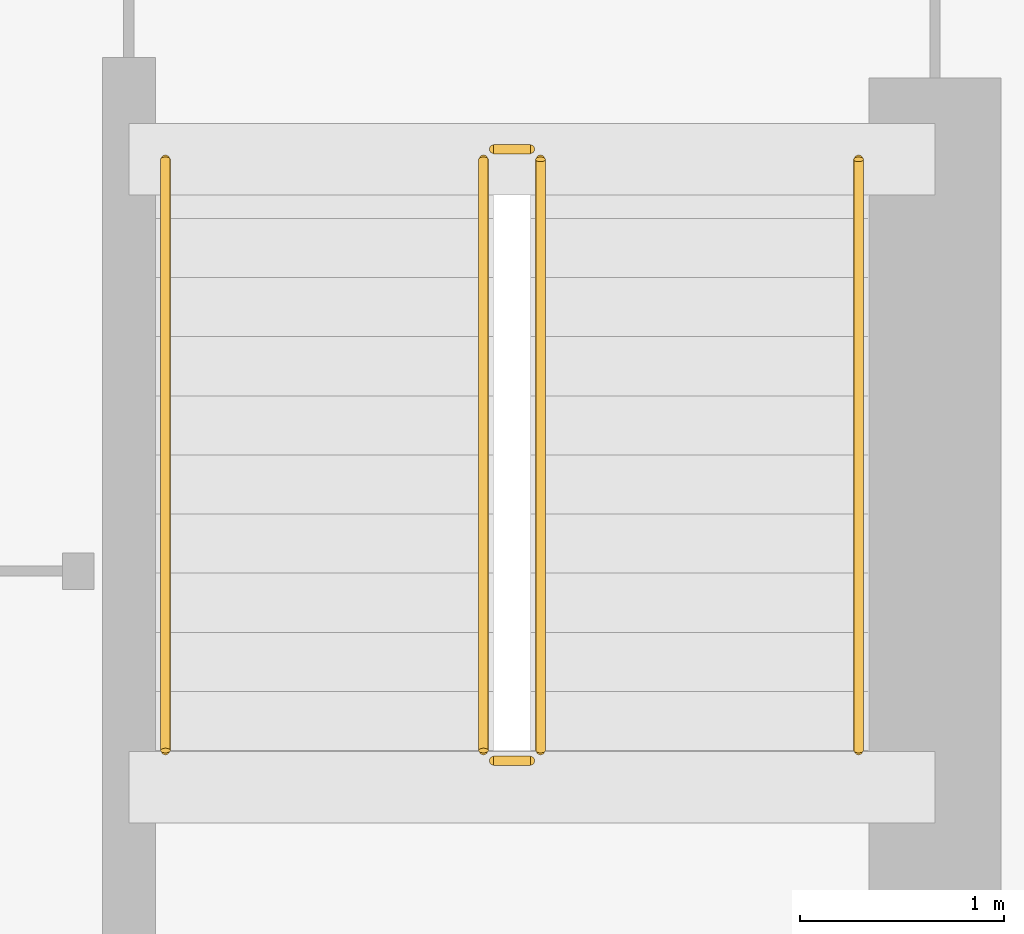
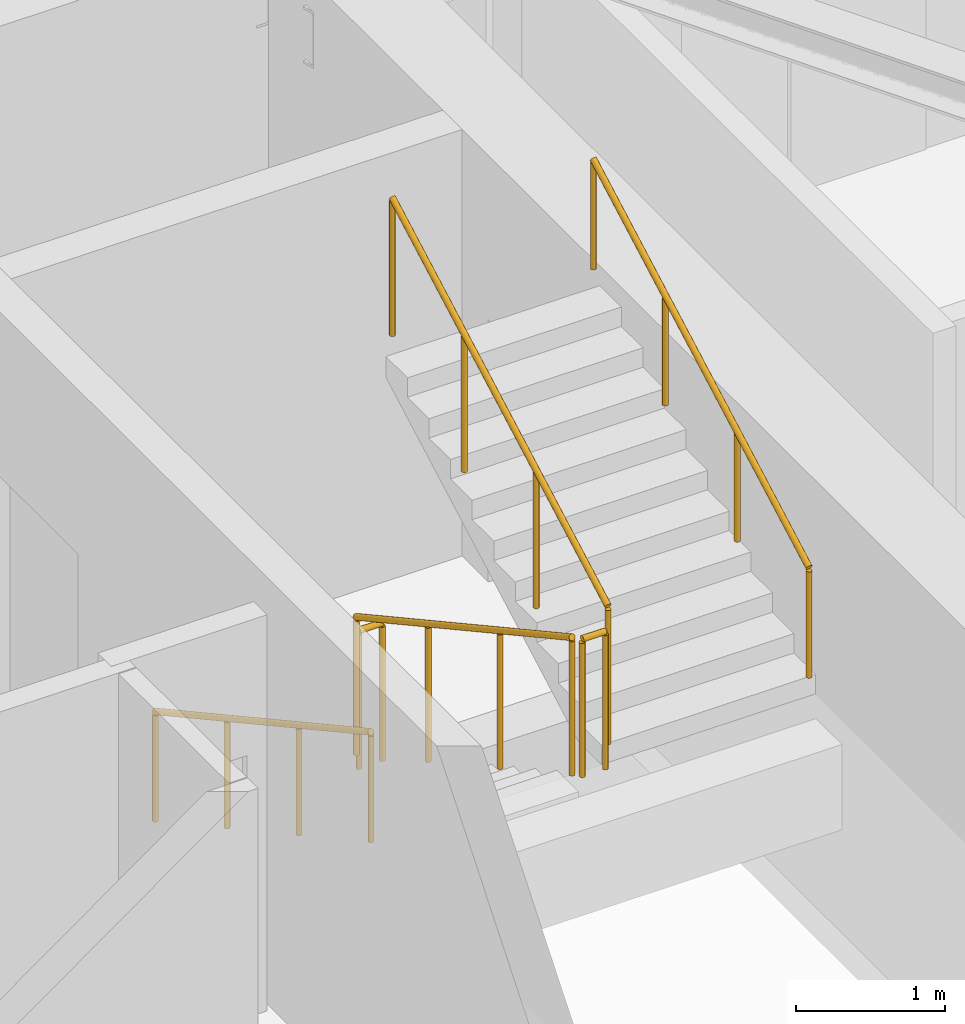
# One storey, part 10 of 10: 6 railings.
"""IFC4 building model written with IfcOpenShell, lengths in metres."""

from ifc_helpers import new_model, si_unit, direction, frame, origin, origin_2d, place, context, subcontext, project, spatial, circle, extrude, material, type_object, element, save


model = new_model("IFC4")

# Units and contexts
model_context = context("Model", 3, precision=1e-05, world=origin(), true_north=direction((0.0, 1.0)))
body_context = subcontext(model_context, "Body", "Model", "MODEL_VIEW")
ifc_project = project(units=[si_unit("LENGTHUNIT", "METRE"), si_unit("AREAUNIT", "SQUARE_METRE"), si_unit("VOLUMEUNIT", "CUBIC_METRE"), si_unit("PLANEANGLEUNIT", "RADIAN"), si_unit("MASSUNIT", "GRAM", prefix="KILO")], contexts=[model_context])

# Site, building, storey
site_placement = place(None, origin())
site = spatial("IfcSite", under=ifc_project, at=site_placement, CompositionType="ELEMENT")
building_placement = place(site_placement, origin())
building = spatial("IfcBuilding", under=site, at=building_placement, Name="Calvemar Wedge Station Tower", CompositionType="ELEMENT")
storey_placement = place(building_placement, frame((0.0, 0.0, 197.39990234375)))
storey = spatial("IfcBuildingStorey", under=building, at=storey_placement, Name="L49", CompositionType="ELEMENT", Elevation=197.39990234375)

# Railings
ifc_material_1 = material(Name="Stainless steel AISI 316L", Category="steel")
railing_type_1 = type_object("IfcRailingType", Name="RL-HANDRAIL-920", PredefinedType="HANDRAIL", material=ifc_material_1)
railing_1_placement = place(storey_placement, frame((27.550048828125, 41.14990234375, 0.1591796875)))
element("IfcRailing", 1, at=railing_1_placement, inside=storey, type_object=railing_type_1, Name="L49 ST-C2 stair handrail 1", PredefinedType="HANDRAIL", context=body_context, shape_type="SweptSolid", body=[
    extrude(circle(Radius=0.02392578125, at=origin_2d()), frame((0.0, 0.0, 0.89599609375), z_axis=(0.0, -0.876742130028, 0.480960744171), x_axis=(1.0, 0.0, 0.0)), (0.0, 0.0, 1.0), 3.3076171875),
    extrude(circle(Radius=0.02099609375, at=origin_2d()), origin(), (0.0, 0.0, 1.0), 0.871826171875),
    extrude(circle(Radius=0.02099609375, at=origin_2d()), frame((0.0, -0.966552734375, 0.5302734375)), (0.0, 0.0, 1.0), 0.871826171875),
    extrude(circle(Radius=0.02099609375, at=origin_2d()), frame((0.0, -1.933349609375, 1.060546875)), (0.0, 0.0, 1.0), 0.871826171875),
    extrude(circle(Radius=0.02099609375, at=origin_2d()), frame((0.0, -2.89990234375, 1.5908203125)), (0.0, 0.0, 1.0), 0.871826171875),
])
railing_2_placement = place(storey_placement, frame((30.949951171875, 38.25, 1.9091796875)))
element("IfcRailing", 2, at=railing_2_placement, inside=storey, type_object=railing_type_1, Name="L49 ST-C2 stair handrail 2", PredefinedType="HANDRAIL", context=body_context, shape_type="SweptSolid", body=[
    extrude(circle(Radius=0.02392578125, at=origin_2d()), frame((0.0, 0.0, 0.89599609375), z_axis=(0.0, 0.876742130028, 0.480960744171), x_axis=(-1.0, 0.0, 0.0)), (0.0, 0.0, 1.0), 3.3076171875),
    extrude(circle(Radius=0.02099609375, at=origin_2d()), origin(), (0.0, 0.0, 1.0), 0.871826171875),
    extrude(circle(Radius=0.02099609375, at=origin_2d()), frame((0.0, 0.966552734375, 0.5302734375)), (0.0, 0.0, 1.0), 0.871826171875),
    extrude(circle(Radius=0.02099609375, at=origin_2d()), frame((0.0, 1.933349609375, 1.060546875)), (0.0, 0.0, 1.0), 0.871826171875),
    extrude(circle(Radius=0.02099609375, at=origin_2d()), frame((0.0, 2.89990234375, 1.5908203125)), (0.0, 0.0, 1.0), 0.871826171875),
])
ifc_material_2 = material(Name="Painted steel guardrail ASTM A500 Grade C", Category="steel")
railing_type_2 = type_object("IfcRailingType", Name="RL-STAIR-GUARD-1150", PredefinedType="GUARDRAIL", material=ifc_material_2)
railing_3_placement = place(storey_placement, frame((29.110107421875, 41.14990234375, 0.1591796875)))
element("IfcRailing", 3, at=railing_3_placement, inside=storey, type_object=railing_type_2, Name="L49 ST-C2 stair guard 1", PredefinedType="GUARDRAIL", context=body_context, shape_type="SweptSolid", body=[
    extrude(circle(Radius=0.02392578125, at=origin_2d()), frame((0.0, 0.0, 1.1259765625), z_axis=(0.0, -0.876742130028, 0.480960744171), x_axis=(1.0, 0.0, 0.0)), (0.0, 0.0, 1.0), 3.3076171875),
    extrude(circle(Radius=0.02099609375, at=origin_2d()), origin(), (0.0, 0.0, 1.0), 1.101806640625),
    extrude(circle(Radius=0.02099609375, at=origin_2d()), frame((0.0, -0.966552734375, 0.5302734375)), (0.0, 0.0, 1.0), 1.101806640625),
    extrude(circle(Radius=0.02099609375, at=origin_2d()), frame((0.0, -1.933349609375, 1.060546875)), (0.0, 0.0, 1.0), 1.101806640625),
    extrude(circle(Radius=0.02099609375, at=origin_2d()), frame((0.0, -2.89990234375, 1.5908203125)), (0.0, 0.0, 1.0), 1.101806640625),
])
railing_4_placement = place(storey_placement, frame((29.159912109375, 38.199951171875, 1.75)))
element("IfcRailing", 4, at=railing_4_placement, inside=storey, type_object=railing_type_2, Name="L49 ST-C2 stair guard 2", PredefinedType="GUARDRAIL", context=body_context, shape_type="SweptSolid", body=[
    extrude(circle(Radius=0.02392578125, at=origin_2d()), frame((0.0, 0.0, 1.1259765625), z_axis=(1.0, 0.0, 0.0), x_axis=(0.0, 1.0, 0.0)), (0.0, 0.0, 1.0), 0.18017578125),
    extrude(circle(Radius=0.02099609375, at=origin_2d()), origin(), (0.0, 0.0, 1.0), 1.101806640625),
    extrude(circle(Radius=0.02099609375, at=origin_2d()), frame((0.18017578125, 0.0, 0.0)), (0.0, 0.0, 1.0), 1.101806640625),
])
railing_5_placement = place(storey_placement, frame((29.389892578125, 38.25, 1.9091796875)))
element("IfcRailing", 5, at=railing_5_placement, inside=storey, type_object=railing_type_2, Name="L49 ST-C2 stair guard 3", PredefinedType="GUARDRAIL", context=body_context, shape_type="SweptSolid", body=[
    extrude(circle(Radius=0.02392578125, at=origin_2d()), frame((0.0, 0.0, 1.1259765625), z_axis=(0.0, 0.876742130028, 0.480960744171), x_axis=(-1.0, 0.0, 0.0)), (0.0, 0.0, 1.0), 3.3076171875),
    extrude(circle(Radius=0.02099609375, at=origin_2d()), origin(), (0.0, 0.0, 1.0), 1.101806640625),
    extrude(circle(Radius=0.02099609375, at=origin_2d()), frame((0.0, 0.966552734375, 0.5302734375)), (0.0, 0.0, 1.0), 1.101806640625),
    extrude(circle(Radius=0.02099609375, at=origin_2d()), frame((0.0, 1.933349609375, 1.060546875)), (0.0, 0.0, 1.0), 1.101806640625),
    extrude(circle(Radius=0.02099609375, at=origin_2d()), frame((0.0, 2.89990234375, 1.5908203125)), (0.0, 0.0, 1.0), 1.101806640625),
])
railing_6_placement = place(storey_placement, frame((29.159912109375, 41.199951171875, 0.0)))
element("IfcRailing", 6, at=railing_6_placement, inside=storey, type_object=railing_type_2, Name="L49 ST-C2 stair guard 4", PredefinedType="GUARDRAIL", context=body_context, shape_type="SweptSolid", body=[
    extrude(circle(Radius=0.02392578125, at=origin_2d()), frame((0.0, 0.0, 1.1259765625), z_axis=(1.0, 0.0, 0.0), x_axis=(0.0, 1.0, 0.0)), (0.0, 0.0, 1.0), 0.18017578125),
    extrude(circle(Radius=0.02099609375, at=origin_2d()), origin(), (0.0, 0.0, 1.0), 1.101806640625),
    extrude(circle(Radius=0.02099609375, at=origin_2d()), frame((0.18017578125, 0.0, 0.0)), (0.0, 0.0, 1.0), 1.101806640625),
])

save(model, "model.ifc")
